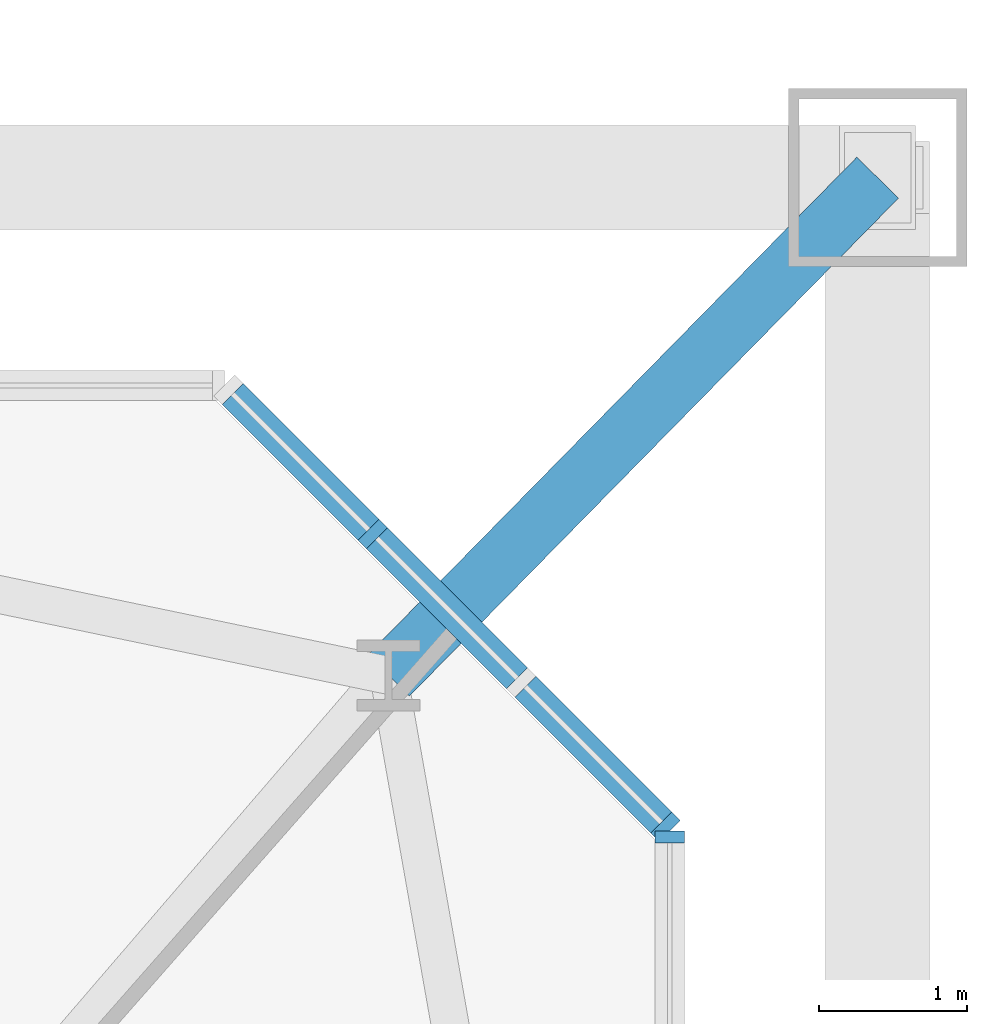
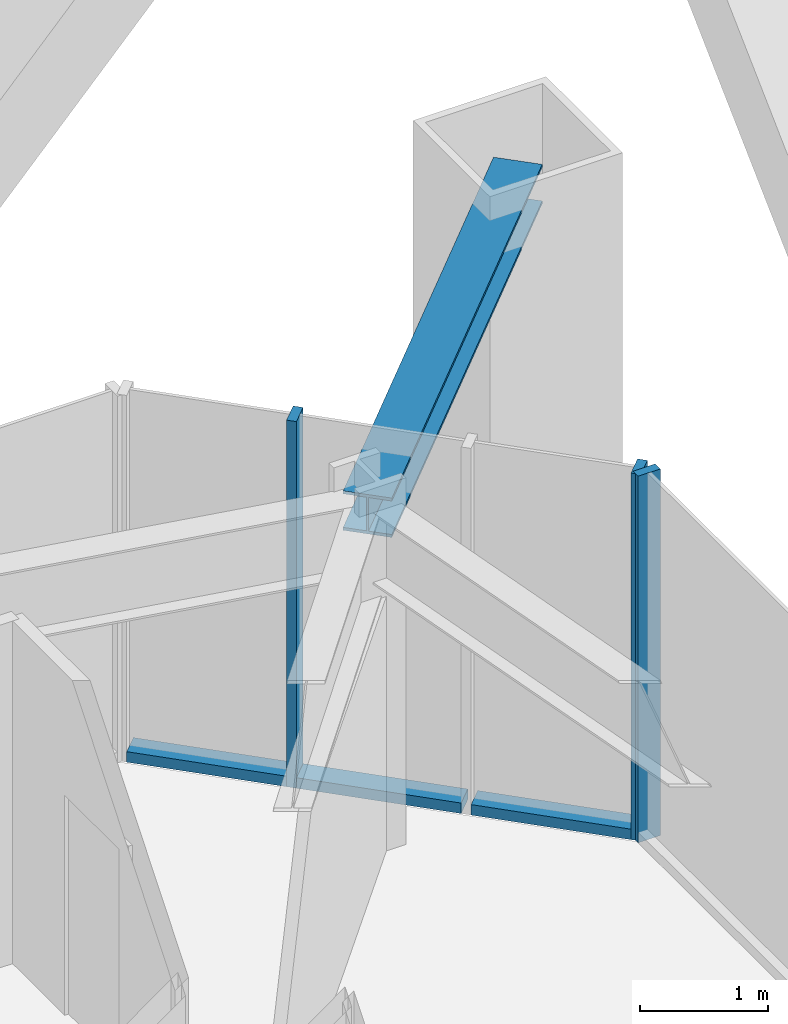
# One storey, part 13 of 28: 7 members, 2 elements without a shape of their own.
"""IFC4 building model written with IfcOpenShell, lengths in metres."""

from ifc_helpers import new_model, si_unit, direction, frame, origin, origin_2d, place, context, subcontext, project, spatial, rectangle, i_section, extrude, material, material_profile, profile_set, type_object, element, aggregate, save


model = new_model("IFC4")

# Units and contexts
model_context = context("Model", 3, precision=1e-05, world=origin(), true_north=direction((0.0, 1.0)))
body_context = subcontext(model_context, "Body", "Model", "MODEL_VIEW")
ifc_project = project(units=[si_unit("LENGTHUNIT", "METRE"), si_unit("AREAUNIT", "SQUARE_METRE"), si_unit("VOLUMEUNIT", "CUBIC_METRE"), si_unit("PLANEANGLEUNIT", "RADIAN"), si_unit("MASSUNIT", "GRAM", prefix="KILO")], contexts=[model_context])

# Site, building, storey
site_placement = place(None, origin())
site = spatial("IfcSite", under=ifc_project, at=site_placement, CompositionType="ELEMENT")
building_placement = place(site_placement, origin())
building = spatial("IfcBuilding", under=site, at=building_placement, Name="Iwan Alto Co-Living Towers", CompositionType="ELEMENT")
storey_placement = place(building_placement, frame((0.0, 0.0, 64.0)))
storey = spatial("IfcBuildingStorey", under=building, at=storey_placement, Name="L17", CompositionType="ELEMENT", Elevation=64.0)

# Curtain wall, member
ifc_material_1 = material(Name="Bronze aluminium unitised frame", Category="aluminium")
curtain_wall_type_1 = type_object("IfcCurtainWallType", Name="CURTAIN WALL CW-C", PredefinedType="NOTDEFINED", material=ifc_material_1)
curtain_wall_1_placement = place(storey_placement, origin())
curtain_wall_1 = element("IfcCurtainWall", 1, at=curtain_wall_1_placement, inside=storey, type_object=curtain_wall_type_1, Name="T2 curtain wall E L17", PredefinedType="NOTDEFINED")
ifc_material_2 = material(Name="Aluminium 6063-T6 bronze anodised", Category="aluminium")
ifc_material_profile_1 = material_profile(ifc_material_2, rectangle(XDim=0.199951171875, YDim=0.080078125, at=origin_2d()), Name="AL 80X200")
ifc_profile_set_1 = profile_set([ifc_material_profile_1], Name="Aluminium 6063-T6 bronze anodised")
member_type_1 = type_object("IfcMemberType", Name="CW-C MULLION 80X200", PredefinedType="MULLION", material=ifc_profile_set_1)
member_1_placement = place(storey_placement, frame((79.5, 15.7099609375, 0.0), z_axis=(0.0, 0.0, 1.0), x_axis=(-1.0, 0.0, 0.0)))
member_1 = element("IfcMember", 2, at=member_1_placement, type_object=member_type_1, Name="CW-C mullion 8", PredefinedType="MULLION", context=body_context, shape_type="SweptSolid", body=[
    extrude(rectangle(XDim=0.199951171875, YDim=0.080078125, at=origin_2d()), origin(), (0.0, 0.0, 1.0), 3.5),
])
aggregate(curtain_wall_1, [member_1])

# Curtain wall, members
ifc_material_3 = material(Name="Bronze aluminium unitised frame", Category="aluminium")
curtain_wall_type_2 = type_object("IfcCurtainWallType", Name="CURTAIN WALL CW-D", PredefinedType="NOTDEFINED", material=ifc_material_3)
curtain_wall_2_placement = place(storey_placement, origin())
curtain_wall_2 = element("IfcCurtainWall", 3, at=curtain_wall_2_placement, inside=storey, type_object=curtain_wall_type_2, Name="T2 chamfer curtain wall NE L17", PredefinedType="NOTDEFINED")
ifc_material_4 = material(Name="Aluminium 6063-T6 bronze anodised", Category="aluminium")
ifc_material_profile_2 = material_profile(ifc_material_4, rectangle(XDim=0.199951171875, YDim=0.080078125, at=origin_2d()), Name="AL 80X200")
ifc_profile_set_2 = profile_set([ifc_material_profile_2], Name="Aluminium 6063-T6 bronze anodised")
member_type_2 = type_object("IfcMemberType", Name="CW-D MULLION 80X200", PredefinedType="MULLION", material=ifc_profile_set_2)
member_2_placement = place(storey_placement, frame((79.4716796875, 15.7783203125, 0.0), z_axis=(0.0, 0.0, 1.0), x_axis=(-0.707106781187, -0.707106781187, 0.0)))
member_2 = element("IfcMember", 4, at=member_2_placement, type_object=member_type_2, Name="CW-D mullion 1", PredefinedType="MULLION", context=body_context, shape_type="SweptSolid", body=[
    extrude(rectangle(XDim=0.199951171875, YDim=0.080078125, at=origin_2d()), origin(), (0.0, 0.0, 1.0), 3.5),
])
member_3_placement = place(storey_placement, frame((77.5, 17.75, 0.0), z_axis=(0.0, 0.0, 1.0), x_axis=(-0.707106781187, -0.707106781187, 0.0)))
member_3 = element("IfcMember", 5, at=member_3_placement, type_object=member_type_2, Name="CW-D mullion 3", PredefinedType="MULLION", context=body_context, shape_type="SweptSolid", body=[
    extrude(rectangle(XDim=0.199951171875, YDim=0.080078125, at=origin_2d()), origin(), (0.0, 0.0, 1.0), 3.5),
])
ifc_material_5 = material(Name="Aluminium 6063-T6 bronze anodised", Category="aluminium")
ifc_material_profile_3 = material_profile(ifc_material_5, rectangle(XDim=0.199951171875, YDim=0.10009765625, at=origin_2d()), Name="AL 200X100")
ifc_profile_set_3 = profile_set([ifc_material_profile_3], Name="Aluminium 6063-T6 bronze anodised")
member_type_3 = type_object("IfcMemberType", Name="CW-D TRANSOM 200X100", PredefinedType="USERDEFINED", material=ifc_profile_set_3)
member_4_placement = place(storey_placement, frame((79.443359375, 15.806640625, 0.050048828125), z_axis=(-0.707106781187, 0.707106781187, 0.0), x_axis=(-0.707106781187, -0.707106781187, 0.0)))
member_4 = element("IfcMember", 6, at=member_4_placement, type_object=member_type_3, Name="CW-D transom 1.1", ObjectType="TRANSOM", PredefinedType="USERDEFINED", context=body_context, shape_type="SweptSolid", body=[
    extrude(rectangle(XDim=0.199951171875, YDim=0.10009765625, at=origin_2d()), origin(), (0.0, 0.0, 1.0), 1.2939453125),
])
member_5_placement = place(storey_placement, frame((78.4716796875, 16.7783203125, 0.050048828125), z_axis=(-0.707106781187, 0.707106781187, 0.0), x_axis=(-0.707106781187, -0.707106781187, 0.0)))
member_5 = element("IfcMember", 7, at=member_5_placement, type_object=member_type_3, Name="CW-D transom 2.1", ObjectType="TRANSOM", PredefinedType="USERDEFINED", context=body_context, shape_type="SweptSolid", body=[
    extrude(rectangle(XDim=0.199951171875, YDim=0.10009765625, at=origin_2d()), origin(), (0.0, 0.0, 1.0), 1.334228515625),
])
member_6_placement = place(storey_placement, frame((77.4716796875, 17.7783203125, 0.050048828125), z_axis=(-0.707106781187, 0.707106781187, 0.0), x_axis=(-0.707106781187, -0.707106781187, 0.0)))
member_6 = element("IfcMember", 8, at=member_6_placement, type_object=member_type_3, Name="CW-D transom 3.1", ObjectType="TRANSOM", PredefinedType="USERDEFINED", context=body_context, shape_type="SweptSolid", body=[
    extrude(rectangle(XDim=0.199951171875, YDim=0.10009765625, at=origin_2d()), origin(), (0.0, 0.0, 1.0), 1.2939453125),
])
aggregate(curtain_wall_2, [member_2, member_3, member_4, member_5, member_6])

# Member
ifc_material_6 = material(Name="Steel ASTM A992 Gr 50", Category="steel")
ifc_material_profile_4 = material_profile(ifc_material_6, i_section(OverallWidth=0.393798828125, OverallDepth=0.3759765625, WebThickness=0.017333984375, FlangeThickness=0.027587890625, at=origin_2d()), Name="W14X145")
ifc_profile_set_4 = profile_set([ifc_material_profile_4], Name="Steel ASTM A992 Gr 50")
member_type_4 = type_object("IfcMemberType", Name="T2 MEGA COLUMN FLOOR TIE W14X145", PredefinedType="STRUT", material=ifc_profile_set_4)
member_7_placement = place(storey_placement, frame((80.89990234375, 20.14990234375, 3.08203125), z_axis=(-0.700793469544, -0.71336422187, 0.0), x_axis=(0.71336422187, -0.700793469544, 0.0)))
element("IfcMember", 9, at=member_7_placement, inside=storey, type_object=member_type_4, Name="T2 mega column floor tie NE L18", PredefinedType="STRUT", context=body_context, shape_type="SweptSolid", body=[
    extrude(i_section(OverallWidth=0.393798828125, OverallDepth=0.3759765625, WebThickness=0.017333984375, FlangeThickness=0.027587890625, at=origin_2d()), origin(), (0.0, 0.0, 1.0), 4.699951171875),
])

save(model, "model.ifc")
